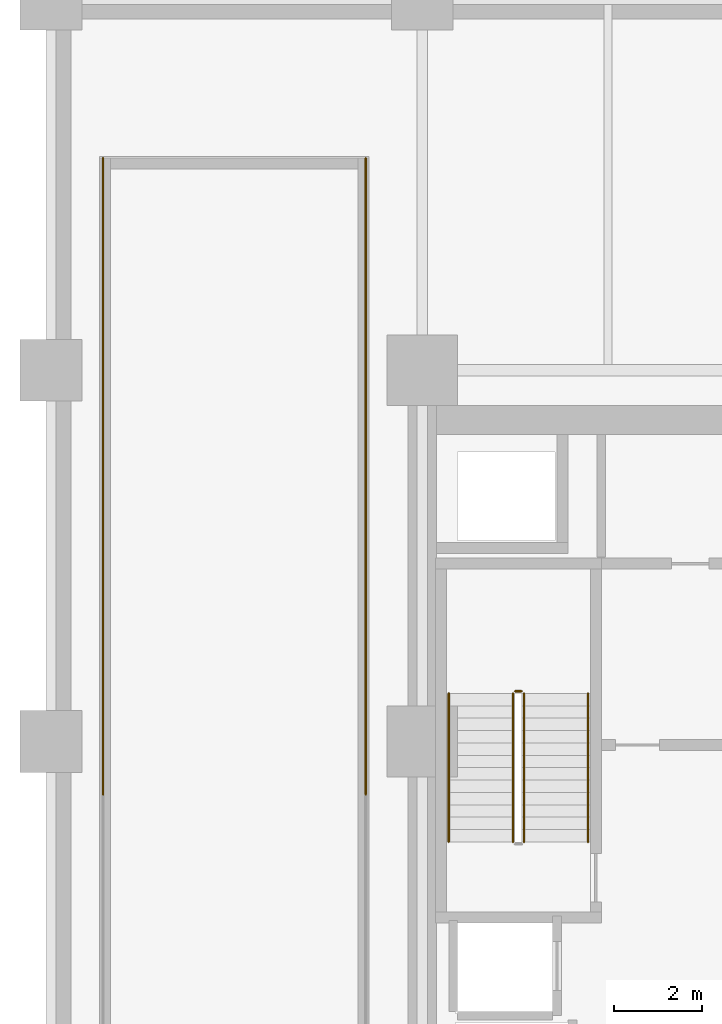
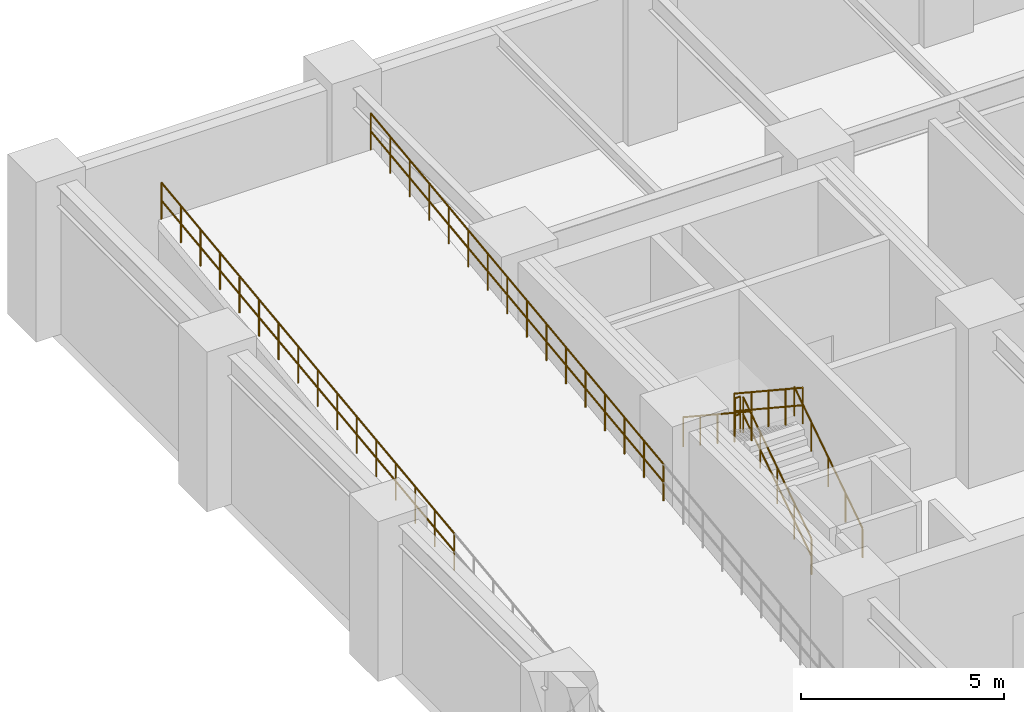
# One storey, part 7 of 7: 11 railings.
"""IFC4 building model written with IfcOpenShell, lengths in metres."""

from ifc_helpers import new_model, si_unit, direction, frame, origin, origin_2d, place, context, subcontext, project, spatial, circle, extrude, material, type_object, element, save


model = new_model("IFC4")

# Units and contexts
model_context = context("Model", 3, precision=1e-05, world=origin(), true_north=direction((0.0, 1.0)))
body_context = subcontext(model_context, "Body", "Model", "MODEL_VIEW")
ifc_project = project(units=[si_unit("LENGTHUNIT", "METRE"), si_unit("AREAUNIT", "SQUARE_METRE"), si_unit("VOLUMEUNIT", "CUBIC_METRE"), si_unit("PLANEANGLEUNIT", "RADIAN"), si_unit("MASSUNIT", "GRAM", prefix="KILO")], contexts=[model_context])

# Site, building, storey
site_placement = place(None, origin())
site = spatial("IfcSite", under=ifc_project, at=site_placement, CompositionType="ELEMENT")
building_placement = place(site_placement, origin())
building = spatial("IfcBuilding", under=site, at=building_placement, Name="Nerrivon Quay Data Exchange", CompositionType="ELEMENT")
storey_placement = place(building_placement, frame((0.0, 0.0, -4.800048828125)))
storey = spatial("IfcBuildingStorey", under=building, at=storey_placement, Name="B01", CompositionType="ELEMENT", Elevation=-4.800048828125)

# Railings
ifc_material = material(Name="Steel Grade C350L0 (350 MPa)", Category="steel")
railing_type_1 = type_object("IfcRailingType", Name="RAIL-GUARD-GR2", PredefinedType="BALUSTRADE", material=ifc_material)
railing_1_placement = place(storey_placement, frame((1.179931640625, 32.39990234375, 3.0)))
element("IfcRailing", 1, at=railing_1_placement, inside=storey, type_object=railing_type_1, Name="B01 Vehicle Ramp Flight Guard WEST 6", PredefinedType="BALUSTRADE", context=body_context, shape_type="SweptSolid", body=[
    extrude(circle(Radius=0.02392578125, at=origin_2d()), frame((0.0, 0.0, 1.09619140625), z_axis=(0.0, 0.99227554719, 0.12405336936), x_axis=(-1.0, 0.0, 0.0)), (0.0, 0.0, 1.0), 4.83740234375),
    extrude(circle(Radius=0.02392578125, at=origin_2d()), frame((0.0, 0.0, 0.56005859375), z_axis=(0.0, 0.99227554719, 0.12405336936), x_axis=(-1.0, 0.0, 0.0)), (0.0, 0.0, 1.0), 4.83740234375),
    extrude(circle(Radius=0.02099609375, at=origin_2d()), origin(), (0.0, 0.0, 1.0), 1.072021484375),
    extrude(circle(Radius=0.02099609375, at=origin_2d()), frame((0.0, 0.9599609375, 0.1201171875)), (0.0, 0.0, 1.0), 1.072021484375),
    extrude(circle(Radius=0.02099609375, at=origin_2d()), frame((0.0, 1.919921875, 0.239990234375)), (0.0, 0.0, 1.0), 1.072021484375),
    extrude(circle(Radius=0.02099609375, at=origin_2d()), frame((0.0, 2.880126953125, 0.360107421875)), (0.0, 0.0, 1.0), 1.072021484375),
    extrude(circle(Radius=0.02099609375, at=origin_2d()), frame((0.0, 3.840087890625, 0.47998046875)), (0.0, 0.0, 1.0), 1.072021484375),
    extrude(circle(Radius=0.02099609375, at=origin_2d()), frame((0.0, 4.800048828125, 0.60009765625)), (0.0, 0.0, 1.0), 1.072021484375),
])
railing_2_placement = place(storey_placement, frame((1.179931640625, 37.199951171875, 3.60009765625)))
element("IfcRailing", 2, at=railing_2_placement, inside=storey, type_object=railing_type_1, Name="B01 Vehicle Ramp Flight Guard WEST 7", PredefinedType="BALUSTRADE", context=body_context, shape_type="SweptSolid", body=[
    extrude(circle(Radius=0.02392578125, at=origin_2d()), frame((0.0, 0.0, 1.09619140625), z_axis=(0.0, 0.9922817585, 0.124003676346), x_axis=(-1.0, 0.0, 0.0)), (0.0, 0.0, 1.0), 4.83740234375),
    extrude(circle(Radius=0.02392578125, at=origin_2d()), frame((0.0, 0.0, 0.56005859375), z_axis=(0.0, 0.9922817585, 0.124003676346), x_axis=(-1.0, 0.0, 0.0)), (0.0, 0.0, 1.0), 4.83740234375),
    extrude(circle(Radius=0.02099609375, at=origin_2d()), origin(), (0.0, 0.0, 1.0), 1.072021484375),
    extrude(circle(Radius=0.02099609375, at=origin_2d()), frame((0.0, 0.9599609375, 0.119873046875)), (0.0, 0.0, 1.0), 1.072021484375),
    extrude(circle(Radius=0.02099609375, at=origin_2d()), frame((0.0, 1.919921875, 0.239990234375)), (0.0, 0.0, 1.0), 1.072021484375),
    extrude(circle(Radius=0.02099609375, at=origin_2d()), frame((0.0, 2.880126953125, 0.35986328125)), (0.0, 0.0, 1.0), 1.072021484375),
    extrude(circle(Radius=0.02099609375, at=origin_2d()), frame((0.0, 3.840087890625, 0.47998046875)), (0.0, 0.0, 1.0), 1.072021484375),
    extrude(circle(Radius=0.02099609375, at=origin_2d()), frame((0.0, 4.800048828125, 0.599853515625)), (0.0, 0.0, 1.0), 1.072021484375),
])
for number, where, name in (
    (3, (1.179931640625, 42.0, 4.199951171875), "B01 Vehicle Ramp Flight Guard WEST 8"),
    (4, (7.1201171875, 32.39990234375, 3.0), "B01 Vehicle Ramp Flight Guard EAST 6"),
):
    element("IfcRailing", number, at=place(storey_placement, frame(where)), inside=storey, type_object=railing_type_1, Name=name, PredefinedType="BALUSTRADE", context=body_context, shape_type="SweptSolid", body=[
        extrude(circle(Radius=0.02392578125, at=origin_2d()), frame((0.0, 0.0, 1.09619140625), z_axis=(0.0, 0.99227554719, 0.12405336936), x_axis=(-1.0, 0.0, 0.0)), (0.0, 0.0, 1.0), 4.83740234375),
        extrude(circle(Radius=0.02392578125, at=origin_2d()), frame((0.0, 0.0, 0.56005859375), z_axis=(0.0, 0.99227554719, 0.12405336936), x_axis=(-1.0, 0.0, 0.0)), (0.0, 0.0, 1.0), 4.83740234375),
        extrude(circle(Radius=0.02099609375, at=origin_2d()), origin(), (0.0, 0.0, 1.0), 1.072021484375),
        extrude(circle(Radius=0.02099609375, at=origin_2d()), frame((0.0, 0.9599609375, 0.1201171875)), (0.0, 0.0, 1.0), 1.072021484375),
        extrude(circle(Radius=0.02099609375, at=origin_2d()), frame((0.0, 1.919921875, 0.239990234375)), (0.0, 0.0, 1.0), 1.072021484375),
        extrude(circle(Radius=0.02099609375, at=origin_2d()), frame((0.0, 2.880126953125, 0.360107421875)), (0.0, 0.0, 1.0), 1.072021484375),
        extrude(circle(Radius=0.02099609375, at=origin_2d()), frame((0.0, 3.840087890625, 0.47998046875)), (0.0, 0.0, 1.0), 1.072021484375),
        extrude(circle(Radius=0.02099609375, at=origin_2d()), frame((0.0, 4.800048828125, 0.60009765625)), (0.0, 0.0, 1.0), 1.072021484375),
    ])
railing_3_placement = place(storey_placement, frame((7.1201171875, 37.199951171875, 3.60009765625)))
element("IfcRailing", 5, at=railing_3_placement, inside=storey, type_object=railing_type_1, Name="B01 Vehicle Ramp Flight Guard EAST 7", PredefinedType="BALUSTRADE", context=body_context, shape_type="SweptSolid", body=[
    extrude(circle(Radius=0.02392578125, at=origin_2d()), frame((0.0, 0.0, 1.09619140625), z_axis=(0.0, 0.9922817585, 0.124003676346), x_axis=(-1.0, 0.0, 0.0)), (0.0, 0.0, 1.0), 4.83740234375),
    extrude(circle(Radius=0.02392578125, at=origin_2d()), frame((0.0, 0.0, 0.56005859375), z_axis=(0.0, 0.9922817585, 0.124003676346), x_axis=(-1.0, 0.0, 0.0)), (0.0, 0.0, 1.0), 4.83740234375),
    extrude(circle(Radius=0.02099609375, at=origin_2d()), origin(), (0.0, 0.0, 1.0), 1.072021484375),
    extrude(circle(Radius=0.02099609375, at=origin_2d()), frame((0.0, 0.9599609375, 0.119873046875)), (0.0, 0.0, 1.0), 1.072021484375),
    extrude(circle(Radius=0.02099609375, at=origin_2d()), frame((0.0, 1.919921875, 0.239990234375)), (0.0, 0.0, 1.0), 1.072021484375),
    extrude(circle(Radius=0.02099609375, at=origin_2d()), frame((0.0, 2.880126953125, 0.35986328125)), (0.0, 0.0, 1.0), 1.072021484375),
    extrude(circle(Radius=0.02099609375, at=origin_2d()), frame((0.0, 3.840087890625, 0.47998046875)), (0.0, 0.0, 1.0), 1.072021484375),
    extrude(circle(Radius=0.02099609375, at=origin_2d()), frame((0.0, 4.800048828125, 0.599853515625)), (0.0, 0.0, 1.0), 1.072021484375),
])
railing_4_placement = place(storey_placement, frame((7.1201171875, 42.0, 4.199951171875)))
element("IfcRailing", 6, at=railing_4_placement, inside=storey, type_object=railing_type_1, Name="B01 Vehicle Ramp Flight Guard EAST 8", PredefinedType="BALUSTRADE", context=body_context, shape_type="SweptSolid", body=[
    extrude(circle(Radius=0.02392578125, at=origin_2d()), frame((0.0, 0.0, 1.09619140625), z_axis=(0.0, 0.99227554719, 0.12405336936), x_axis=(-1.0, 0.0, 0.0)), (0.0, 0.0, 1.0), 4.83740234375),
    extrude(circle(Radius=0.02392578125, at=origin_2d()), frame((0.0, 0.0, 0.56005859375), z_axis=(0.0, 0.99227554719, 0.12405336936), x_axis=(-1.0, 0.0, 0.0)), (0.0, 0.0, 1.0), 4.83740234375),
    extrude(circle(Radius=0.02099609375, at=origin_2d()), origin(), (0.0, 0.0, 1.0), 1.072021484375),
    extrude(circle(Radius=0.02099609375, at=origin_2d()), frame((0.0, 0.9599609375, 0.1201171875)), (0.0, 0.0, 1.0), 1.072021484375),
    extrude(circle(Radius=0.02099609375, at=origin_2d()), frame((0.0, 1.919921875, 0.239990234375)), (0.0, 0.0, 1.0), 1.072021484375),
    extrude(circle(Radius=0.02099609375, at=origin_2d()), frame((0.0, 2.880126953125, 0.360107421875)), (0.0, 0.0, 1.0), 1.072021484375),
    extrude(circle(Radius=0.02099609375, at=origin_2d()), frame((0.0, 3.840087890625, 0.47998046875)), (0.0, 0.0, 1.0), 1.072021484375),
    extrude(circle(Radius=0.02099609375, at=origin_2d()), frame((0.0, 4.800048828125, 0.60009765625)), (0.0, 0.0, 1.0), 1.072021484375),
])
railing_type_2 = type_object("IfcRailingType", Name="RAIL-HAND-HR1", PredefinedType="HANDRAIL", material=ifc_material)
railing_5_placement = place(storey_placement, frame((12.14990234375, 31.330078125, 0.1845703125)))
element("IfcRailing", 7, at=railing_5_placement, inside=storey, type_object=railing_type_2, Name="B01 ST01 stair handrail 1", PredefinedType="HANDRAIL", context=body_context, shape_type="SweptSolid", body=[
    extrude(circle(Radius=0.02392578125, at=origin_2d()), frame((0.0, 0.0, 0.8759765625), z_axis=(0.0, 0.83483021737, 0.550507500554), x_axis=(-1.0, 0.0, 0.0)), (0.0, 0.0, 1.0), 4.024658203125),
    extrude(circle(Radius=0.02099609375, at=origin_2d()), origin(), (0.0, 0.0, 1.0), 0.851806640625),
    extrude(circle(Radius=0.02099609375, at=origin_2d()), frame((0.0, 0.83984375, 0.553955078125)), (0.0, 0.0, 1.0), 0.851806640625),
    extrude(circle(Radius=0.02099609375, at=origin_2d()), frame((0.0, 1.679931640625, 1.10791015625)), (0.0, 0.0, 1.0), 0.851806640625),
    extrude(circle(Radius=0.02099609375, at=origin_2d()), frame((0.0, 2.52001953125, 1.66162109375)), (0.0, 0.0, 1.0), 0.851806640625),
    extrude(circle(Radius=0.02099609375, at=origin_2d()), frame((0.0, 3.35986328125, 2.215576171875)), (0.0, 0.0, 1.0), 0.851806640625),
])
railing_6_placement = place(storey_placement, frame((9.0, 34.68994140625, 2.584716796875)))
element("IfcRailing", 8, at=railing_6_placement, inside=storey, type_object=railing_type_2, Name="B01 ST01 stair handrail 2", PredefinedType="HANDRAIL", context=body_context, shape_type="SweptSolid", body=[
    extrude(circle(Radius=0.02392578125, at=origin_2d()), frame((0.0, 0.0, 0.8759765625), z_axis=(0.0, -0.834858096282, 0.550465220583), x_axis=(1.0, 0.0, 0.0)), (0.0, 0.0, 1.0), 4.0244140625),
    extrude(circle(Radius=0.02099609375, at=origin_2d()), origin(), (0.0, 0.0, 1.0), 0.851806640625),
    extrude(circle(Radius=0.02099609375, at=origin_2d()), frame((0.0, -0.83984375, 0.5537109375)), (0.0, 0.0, 1.0), 0.851806640625),
    extrude(circle(Radius=0.02099609375, at=origin_2d()), frame((0.0, -1.679931640625, 1.107666015625)), (0.0, 0.0, 1.0), 0.851806640625),
    extrude(circle(Radius=0.02099609375, at=origin_2d()), frame((0.0, -2.52001953125, 1.66162109375)), (0.0, 0.0, 1.0), 0.851806640625),
    extrude(circle(Radius=0.02099609375, at=origin_2d()), frame((0.0, -3.35986328125, 2.21533203125)), (0.0, 0.0, 1.0), 0.851806640625),
])
railing_type_3 = type_object("IfcRailingType", Name="RAIL-STAIR-GR1", PredefinedType="BALUSTRADE", material=ifc_material)
railing_7_placement = place(storey_placement, frame((10.699951171875, 31.330078125, 0.1845703125)))
element("IfcRailing", 9, at=railing_7_placement, inside=storey, type_object=railing_type_3, Name="B01 ST01 stair guard 1", PredefinedType="BALUSTRADE", context=body_context, shape_type="SweptSolid", body=[
    extrude(circle(Radius=0.02392578125, at=origin_2d()), frame((0.0, 0.0, 1.076171875), z_axis=(0.0, 0.83483021737, 0.550507500554), x_axis=(-1.0, 0.0, 0.0)), (0.0, 0.0, 1.0), 4.024658203125),
    extrude(circle(Radius=0.02392578125, at=origin_2d()), frame((0.0, 0.0, 0.550048828125), z_axis=(0.0, 0.83483021737, 0.550507500554), x_axis=(-1.0, 0.0, 0.0)), (0.0, 0.0, 1.0), 4.024658203125),
    extrude(circle(Radius=0.02099609375, at=origin_2d()), origin(), (0.0, 0.0, 1.0), 1.052001953125),
    extrude(circle(Radius=0.02099609375, at=origin_2d()), frame((0.0, 0.83984375, 0.553955078125)), (0.0, 0.0, 1.0), 1.052001953125),
    extrude(circle(Radius=0.02099609375, at=origin_2d()), frame((0.0, 1.679931640625, 1.10791015625)), (0.0, 0.0, 1.0), 1.052001953125),
    extrude(circle(Radius=0.02099609375, at=origin_2d()), frame((0.0, 2.52001953125, 1.66162109375)), (0.0, 0.0, 1.0), 1.052001953125),
    extrude(circle(Radius=0.02099609375, at=origin_2d()), frame((0.0, 3.35986328125, 2.215576171875)), (0.0, 0.0, 1.0), 1.052001953125),
])
railing_8_placement = place(storey_placement, frame((10.64990234375, 34.739990234375, 2.400146484375)))
element("IfcRailing", 10, at=railing_8_placement, inside=storey, type_object=railing_type_3, Name="B01 ST01 stair guard 2", PredefinedType="BALUSTRADE", context=body_context, shape_type="SweptSolid", body=[
    extrude(circle(Radius=0.02392578125, at=origin_2d()), frame((0.0, 0.0, 1.076171875), z_axis=(-1.0, 0.0, 0.0), x_axis=(0.0, -1.0, 0.0)), (0.0, 0.0, 1.0), 0.14990234375),
    extrude(circle(Radius=0.02392578125, at=origin_2d()), frame((0.0, 0.0, 0.550048828125), z_axis=(-1.0, 0.0, 0.0), x_axis=(0.0, -1.0, 0.0)), (0.0, 0.0, 1.0), 0.14990234375),
    extrude(circle(Radius=0.02099609375, at=origin_2d()), origin(), (0.0, 0.0, 1.0), 1.052001953125),
    extrude(circle(Radius=0.02099609375, at=origin_2d()), frame((-0.14990234375, 0.0, 0.0)), (0.0, 0.0, 1.0), 1.052001953125),
])
railing_9_placement = place(storey_placement, frame((10.449951171875, 34.68994140625, 2.584716796875)))
element("IfcRailing", 11, at=railing_9_placement, inside=storey, type_object=railing_type_3, Name="B01 ST01 stair guard 3", PredefinedType="BALUSTRADE", context=body_context, shape_type="SweptSolid", body=[
    extrude(circle(Radius=0.02392578125, at=origin_2d()), frame((0.0, 0.0, 1.076171875), z_axis=(0.0, -0.834858096282, 0.550465220583), x_axis=(1.0, 0.0, 0.0)), (0.0, 0.0, 1.0), 4.0244140625),
    extrude(circle(Radius=0.02392578125, at=origin_2d()), frame((0.0, 0.0, 0.550048828125), z_axis=(0.0, -0.834858096282, 0.550465220583), x_axis=(1.0, 0.0, 0.0)), (0.0, 0.0, 1.0), 4.0244140625),
    extrude(circle(Radius=0.02099609375, at=origin_2d()), origin(), (0.0, 0.0, 1.0), 1.052001953125),
    extrude(circle(Radius=0.02099609375, at=origin_2d()), frame((0.0, -0.83984375, 0.5537109375)), (0.0, 0.0, 1.0), 1.052001953125),
    extrude(circle(Radius=0.02099609375, at=origin_2d()), frame((0.0, -1.679931640625, 1.107666015625)), (0.0, 0.0, 1.0), 1.052001953125),
    extrude(circle(Radius=0.02099609375, at=origin_2d()), frame((0.0, -2.52001953125, 1.66162109375)), (0.0, 0.0, 1.0), 1.052001953125),
    extrude(circle(Radius=0.02099609375, at=origin_2d()), frame((0.0, -3.35986328125, 2.21533203125)), (0.0, 0.0, 1.0), 1.052001953125),
])

save(model, "model.ifc")
